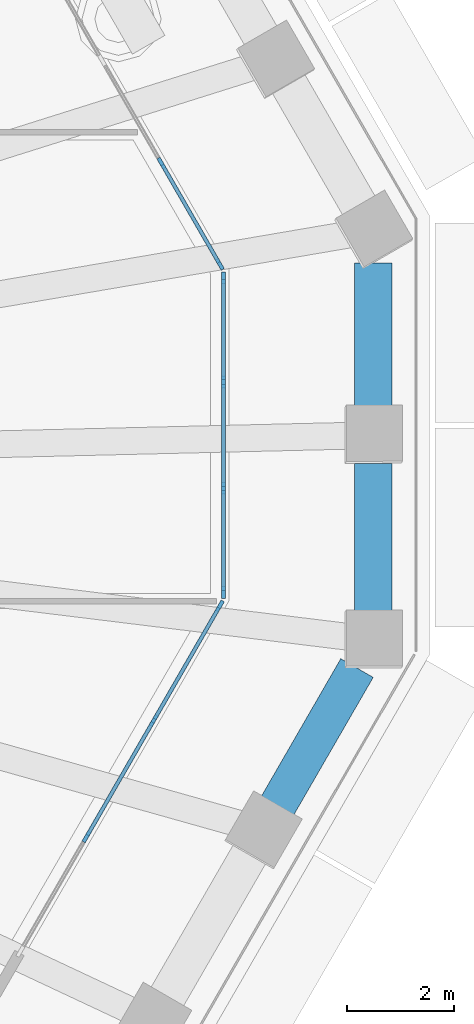
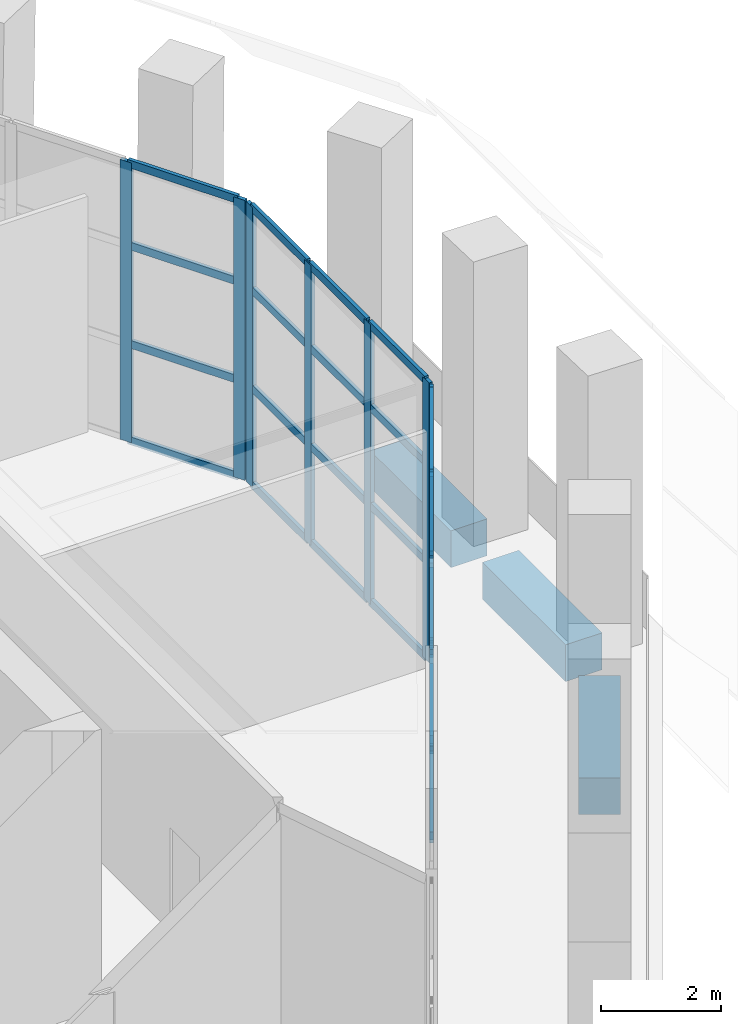
# One storey, part 5 of 19: 33 members, 3 beams, 3 elements without a shape of their own.
"""IFC4 building model written with IfcOpenShell, lengths in metres."""

from ifc_helpers import new_model, si_unit, direction, frame, origin, origin_2d, place, context, subcontext, project, spatial, rectangle, extrude, material, material_profile, profile_set, type_object, element, aggregate, save


model = new_model("IFC4")

# Units and contexts
model_context = context("Model", 3, precision=1e-05, world=origin(), true_north=direction((0.0, 1.0)))
body_context = subcontext(model_context, "Body", "Model", "MODEL_VIEW")
ifc_project = project(units=[si_unit("LENGTHUNIT", "METRE"), si_unit("AREAUNIT", "SQUARE_METRE"), si_unit("VOLUMEUNIT", "CUBIC_METRE"), si_unit("PLANEANGLEUNIT", "RADIAN"), si_unit("MASSUNIT", "GRAM", prefix="KILO")], contexts=[model_context])

# Site, building, storey
site_placement = place(None, origin())
site = spatial("IfcSite", under=ifc_project, at=site_placement, CompositionType="ELEMENT")
building_placement = place(site_placement, origin())
building = spatial("IfcBuilding", under=site, at=building_placement, Name="Frailejon Research Tower", CompositionType="ELEMENT")
storey_placement = place(building_placement, frame((0.0, 0.0, 231.39990234375)))
storey = spatial("IfcBuildingStorey", under=building, at=storey_placement, Name="L50", CompositionType="ELEMENT", Elevation=231.39990234375)

# Curtain wall, members
ifc_material_1 = material(Name="Aluminium curtain wall", Category="aluminium")
curtain_wall_type = type_object("IfcCurtainWallType", Name="Sky lobby curtain wall system", PredefinedType="NOTDEFINED", material=ifc_material_1)
curtain_wall_1_placement = place(storey_placement, origin())
curtain_wall_1 = element("IfcCurtainWall", 1, at=curtain_wall_1_placement, inside=storey, type_object=curtain_wall_type, Name="Curtain wall L50", PredefinedType="NOTDEFINED")
ifc_material_2 = material(Name="Aluminium extrusion", Category="aluminium")
ifc_material_profile_1 = material_profile(ifc_material_2, rectangle(XDim=0.070068359375, YDim=0.219970703125, at=origin_2d()), Name="Sky lobby curtain wall mullion 70x220")
ifc_profile_set_1 = profile_set([ifc_material_profile_1], Name="Aluminium extrusion")
member_type_1 = type_object("IfcMemberType", Name="Sky lobby curtain wall mullion 70x220", PredefinedType="MULLION", material=ifc_profile_set_1)
member_1_placement = place(storey_placement, frame((23.29736328125, -2.31298828125, 0.0), z_axis=(0.0, 0.0, 1.0), x_axis=(-1.0, 0.0, 0.0)))
member_1 = element("IfcMember", 2, at=member_1_placement, type_object=member_type_1, Name="CW4-099 mullion 1", PredefinedType="MULLION", context=body_context, shape_type="SweptSolid", body=[
    extrude(rectangle(XDim=0.070068359375, YDim=0.219970703125, at=origin_2d()), origin(), (0.0, 0.0, 1.0), 5.7001953125),
])
member_2_placement = place(storey_placement, frame((23.29736328125, -0.363525390625, 0.0), z_axis=(0.0, 0.0, 1.0), x_axis=(-1.0, 0.0, 0.0)))
member_2 = element("IfcMember", 3, at=member_2_placement, type_object=member_type_1, Name="CW4-099 mullion 2", PredefinedType="MULLION", context=body_context, shape_type="SweptSolid", body=[
    extrude(rectangle(XDim=0.070068359375, YDim=0.219970703125, at=origin_2d()), origin(), (0.0, 0.0, 1.0), 5.7001953125),
])
member_3_placement = place(storey_placement, frame((23.29736328125, 1.62060546875, 0.0), z_axis=(0.0, 0.0, 1.0), x_axis=(-1.0, 0.0, 0.0)))
member_3 = element("IfcMember", 4, at=member_3_placement, type_object=member_type_1, Name="CW4-099 mullion 3", PredefinedType="MULLION", context=body_context, shape_type="SweptSolid", body=[
    extrude(rectangle(XDim=0.070068359375, YDim=0.219970703125, at=origin_2d()), origin(), (0.0, 0.0, 1.0), 5.7001953125),
])
member_4_placement = place(storey_placement, frame((23.29736328125, 3.570068359375, 0.0), z_axis=(0.0, 0.0, 1.0), x_axis=(-1.0, 0.0, 0.0)))
member_4 = element("IfcMember", 5, at=member_4_placement, type_object=member_type_1, Name="CW4-099 mullion 4", PredefinedType="MULLION", context=body_context, shape_type="SweptSolid", body=[
    extrude(rectangle(XDim=0.070068359375, YDim=0.219970703125, at=origin_2d()), origin(), (0.0, 0.0, 1.0), 5.7001953125),
])

curtain_wall_2_placement = place(storey_placement, origin())
curtain_wall_2 = element("IfcCurtainWall", 6, at=curtain_wall_2_placement, inside=storey, type_object=curtain_wall_type, Name="Curtain wall L50", PredefinedType="NOTDEFINED")
member_5_placement = place(storey_placement, frame((23.229736328125, 3.822021484375, 0.0), z_axis=(0.0, 0.0, 1.0), x_axis=(-0.866025366731, -0.500000064178, 0.0)))
member_5 = element("IfcMember", 7, at=member_5_placement, type_object=member_type_1, Name="CW4-100 mullion 1", PredefinedType="MULLION", context=body_context, shape_type="SweptSolid", body=[
    extrude(rectangle(XDim=0.070068359375, YDim=0.219970703125, at=origin_2d()), origin(), (0.0, 0.0, 1.0), 5.7001953125),
])
member_6_placement = place(storey_placement, frame((22.138671875, 5.7119140625, 0.0), z_axis=(0.0, 0.0, 1.0), x_axis=(-0.866025366731, -0.500000064178, 0.0)))
member_6 = element("IfcMember", 8, at=member_6_placement, type_object=member_type_1, Name="CW4-100 mullion 2", PredefinedType="MULLION", context=body_context, shape_type="SweptSolid", body=[
    extrude(rectangle(XDim=0.070068359375, YDim=0.219970703125, at=origin_2d()), origin(), (0.0, 0.0, 1.0), 5.7001953125),
])

curtain_wall_3_placement = place(storey_placement, origin())
curtain_wall_3 = element("IfcCurtainWall", 9, at=curtain_wall_3_placement, inside=storey, type_object=curtain_wall_type, Name="Curtain wall L50", PredefinedType="NOTDEFINED")
member_7_placement = place(storey_placement, frame((20.73974609375, -6.8779296875, 0.0), z_axis=(0.0, 0.0, 1.0), x_axis=(-0.866025100961, 0.500000524505, 0.0)))
member_7 = element("IfcMember", 10, at=member_7_placement, type_object=member_type_1, Name="CW4-116 mullion 2", PredefinedType="MULLION", context=body_context, shape_type="SweptSolid", body=[
    extrude(rectangle(XDim=0.070068359375, YDim=0.219970703125, at=origin_2d()), origin(), (0.0, 0.0, 1.0), 5.7001953125),
])
member_8_placement = place(storey_placement, frame((21.993408203125, -4.706298828125, 0.0), z_axis=(0.0, 0.0, 1.0), x_axis=(-0.866025100961, 0.500000524505, 0.0)))
member_8 = element("IfcMember", 11, at=member_8_placement, type_object=member_type_1, Name="CW4-116 mullion 3", PredefinedType="MULLION", context=body_context, shape_type="SweptSolid", body=[
    extrude(rectangle(XDim=0.070068359375, YDim=0.219970703125, at=origin_2d()), origin(), (0.0, 0.0, 1.0), 5.7001953125),
])
member_9_placement = place(storey_placement, frame((23.229736328125, -2.564697265625, 0.0), z_axis=(0.0, 0.0, 1.0), x_axis=(-0.866025100961, 0.500000524505, 0.0)))
member_9 = element("IfcMember", 12, at=member_9_placement, type_object=member_type_1, Name="CW4-116 mullion 4", PredefinedType="MULLION", context=body_context, shape_type="SweptSolid", body=[
    extrude(rectangle(XDim=0.070068359375, YDim=0.219970703125, at=origin_2d()), origin(), (0.0, 0.0, 1.0), 5.7001953125),
])

# Member
ifc_material_3 = material(Name="Aluminium extrusion", Category="aluminium")
ifc_material_profile_2 = material_profile(ifc_material_3, rectangle(XDim=0.070068359375, YDim=0.159912109375, at=origin_2d()), Name="Sky lobby curtain wall transom 70x160")
ifc_profile_set_2 = profile_set([ifc_material_profile_2], Name="Aluminium extrusion")
member_type_2 = type_object("IfcMemberType", Name="Sky lobby curtain wall transom 70x160", PredefinedType="USERDEFINED", material=ifc_profile_set_2)
member_10_placement = place(storey_placement, frame((23.29736328125, -2.27783203125, 0.03515625), z_axis=(0.0, 1.0, 0.0), x_axis=(-1.0, 0.0, 0.0)))
member_10 = element("IfcMember", 13, at=member_10_placement, type_object=member_type_2, Name="CW4-099 transom 1.1", ObjectType="TRANSOM", PredefinedType="USERDEFINED", context=body_context, shape_type="SweptSolid", body=[
    extrude(rectangle(XDim=0.070068359375, YDim=0.159912109375, at=origin_2d()), origin(), (0.0, 0.0, 1.0), 1.879150390625),
])

member_11_placement = place(storey_placement, frame((23.29736328125, -2.27783203125, 2.0), z_axis=(0.0, 1.0, 0.0), x_axis=(-1.0, 0.0, 0.0)))
member_11 = element("IfcMember", 14, at=member_11_placement, type_object=member_type_2, Name="CW4-099 transom 1.2", ObjectType="TRANSOM", PredefinedType="USERDEFINED", context=body_context, shape_type="SweptSolid", body=[
    extrude(rectangle(XDim=0.070068359375, YDim=0.159912109375, at=origin_2d()), origin(), (0.0, 0.0, 1.0), 1.879150390625),
])

member_12_placement = place(storey_placement, frame((23.29736328125, -2.27783203125, 4.0), z_axis=(0.0, 1.0, 0.0), x_axis=(-1.0, 0.0, 0.0)))
member_12 = element("IfcMember", 15, at=member_12_placement, type_object=member_type_2, Name="CW4-099 transom 1.3", ObjectType="TRANSOM", PredefinedType="USERDEFINED", context=body_context, shape_type="SweptSolid", body=[
    extrude(rectangle(XDim=0.070068359375, YDim=0.159912109375, at=origin_2d()), origin(), (0.0, 0.0, 1.0), 1.879150390625),
])

member_13_placement = place(storey_placement, frame((23.29736328125, -2.27783203125, 5.6650390625), z_axis=(0.0, 1.0, 0.0), x_axis=(-1.0, 0.0, 0.0)))
member_13 = element("IfcMember", 16, at=member_13_placement, type_object=member_type_2, Name="CW4-099 transom 1.4", ObjectType="TRANSOM", PredefinedType="USERDEFINED", context=body_context, shape_type="SweptSolid", body=[
    extrude(rectangle(XDim=0.070068359375, YDim=0.159912109375, at=origin_2d()), origin(), (0.0, 0.0, 1.0), 1.879150390625),
])

member_14_placement = place(storey_placement, frame((23.29736328125, -0.32861328125, 0.03515625), z_axis=(0.0, 1.0, 0.0), x_axis=(-1.0, 0.0, 0.0)))
member_14 = element("IfcMember", 17, at=member_14_placement, type_object=member_type_2, Name="CW4-099 transom 2.1", ObjectType="TRANSOM", PredefinedType="USERDEFINED", context=body_context, shape_type="SweptSolid", body=[
    extrude(rectangle(XDim=0.070068359375, YDim=0.159912109375, at=origin_2d()), origin(), (0.0, 0.0, 1.0), 1.914306640625),
])

member_15_placement = place(storey_placement, frame((23.29736328125, -0.32861328125, 2.0), z_axis=(0.0, 1.0, 0.0), x_axis=(-1.0, 0.0, 0.0)))
member_15 = element("IfcMember", 18, at=member_15_placement, type_object=member_type_2, Name="CW4-099 transom 2.2", ObjectType="TRANSOM", PredefinedType="USERDEFINED", context=body_context, shape_type="SweptSolid", body=[
    extrude(rectangle(XDim=0.070068359375, YDim=0.159912109375, at=origin_2d()), origin(), (0.0, 0.0, 1.0), 1.914306640625),
])

member_16_placement = place(storey_placement, frame((23.29736328125, -0.32861328125, 4.0), z_axis=(0.0, 1.0, 0.0), x_axis=(-1.0, 0.0, 0.0)))
member_16 = element("IfcMember", 19, at=member_16_placement, type_object=member_type_2, Name="CW4-099 transom 2.3", ObjectType="TRANSOM", PredefinedType="USERDEFINED", context=body_context, shape_type="SweptSolid", body=[
    extrude(rectangle(XDim=0.070068359375, YDim=0.159912109375, at=origin_2d()), origin(), (0.0, 0.0, 1.0), 1.914306640625),
])

member_17_placement = place(storey_placement, frame((23.29736328125, -0.32861328125, 5.6650390625), z_axis=(0.0, 1.0, 0.0), x_axis=(-1.0, 0.0, 0.0)))
member_17 = element("IfcMember", 20, at=member_17_placement, type_object=member_type_2, Name="CW4-099 transom 2.4", ObjectType="TRANSOM", PredefinedType="USERDEFINED", context=body_context, shape_type="SweptSolid", body=[
    extrude(rectangle(XDim=0.070068359375, YDim=0.159912109375, at=origin_2d()), origin(), (0.0, 0.0, 1.0), 1.914306640625),
])

member_18_placement = place(storey_placement, frame((23.29736328125, 1.65576171875, 0.03515625), z_axis=(0.0, 1.0, 0.0), x_axis=(-1.0, 0.0, 0.0)))
member_18 = element("IfcMember", 21, at=member_18_placement, type_object=member_type_2, Name="CW4-099 transom 3.1", ObjectType="TRANSOM", PredefinedType="USERDEFINED", context=body_context, shape_type="SweptSolid", body=[
    extrude(rectangle(XDim=0.070068359375, YDim=0.159912109375, at=origin_2d()), origin(), (0.0, 0.0, 1.0), 1.879150390625),
])

member_19_placement = place(storey_placement, frame((23.29736328125, 1.65576171875, 2.0), z_axis=(0.0, 1.0, 0.0), x_axis=(-1.0, 0.0, 0.0)))
member_19 = element("IfcMember", 22, at=member_19_placement, type_object=member_type_2, Name="CW4-099 transom 3.2", ObjectType="TRANSOM", PredefinedType="USERDEFINED", context=body_context, shape_type="SweptSolid", body=[
    extrude(rectangle(XDim=0.070068359375, YDim=0.159912109375, at=origin_2d()), origin(), (0.0, 0.0, 1.0), 1.879150390625),
])

member_20_placement = place(storey_placement, frame((23.29736328125, 1.65576171875, 4.0), z_axis=(0.0, 1.0, 0.0), x_axis=(-1.0, 0.0, 0.0)))
member_20 = element("IfcMember", 23, at=member_20_placement, type_object=member_type_2, Name="CW4-099 transom 3.3", ObjectType="TRANSOM", PredefinedType="USERDEFINED", context=body_context, shape_type="SweptSolid", body=[
    extrude(rectangle(XDim=0.070068359375, YDim=0.159912109375, at=origin_2d()), origin(), (0.0, 0.0, 1.0), 1.879150390625),
])

member_21_placement = place(storey_placement, frame((23.29736328125, 1.65576171875, 5.6650390625), z_axis=(0.0, 1.0, 0.0), x_axis=(-1.0, 0.0, 0.0)))
member_21 = element("IfcMember", 24, at=member_21_placement, type_object=member_type_2, Name="CW4-099 transom 3.4", ObjectType="TRANSOM", PredefinedType="USERDEFINED", context=body_context, shape_type="SweptSolid", body=[
    extrude(rectangle(XDim=0.070068359375, YDim=0.159912109375, at=origin_2d()), origin(), (0.0, 0.0, 1.0), 1.879150390625),
])

aggregate(curtain_wall_1, [member_1, member_2, member_3, member_4, member_10, member_11, member_12, member_13, member_14, member_15, member_16, member_17, member_18, member_19, member_20, member_21])

member_22_placement = place(storey_placement, frame((23.21240234375, 3.852294921875, 0.03515625), z_axis=(-0.499992582699, 0.866029686123, 0.0), x_axis=(-0.866029686123, -0.499992582699, 0.0)))
member_22 = element("IfcMember", 25, at=member_22_placement, type_object=member_type_2, Name="CW4-100 transom 1.1", ObjectType="TRANSOM", PredefinedType="USERDEFINED", context=body_context, shape_type="SweptSolid", body=[
    extrude(rectangle(XDim=0.070068359375, YDim=0.159912109375, at=origin_2d()), origin(), (0.0, 0.0, 1.0), 2.1123046875),
])

member_23_placement = place(storey_placement, frame((23.21240234375, 3.852294921875, 2.0), z_axis=(-0.499992582699, 0.866029686123, 0.0), x_axis=(-0.866029686123, -0.499992582699, 0.0)))
member_23 = element("IfcMember", 26, at=member_23_placement, type_object=member_type_2, Name="CW4-100 transom 1.2", ObjectType="TRANSOM", PredefinedType="USERDEFINED", context=body_context, shape_type="SweptSolid", body=[
    extrude(rectangle(XDim=0.070068359375, YDim=0.159912109375, at=origin_2d()), origin(), (0.0, 0.0, 1.0), 2.1123046875),
])

member_24_placement = place(storey_placement, frame((23.21240234375, 3.852294921875, 4.0), z_axis=(-0.499992582699, 0.866029686123, 0.0), x_axis=(-0.866029686123, -0.499992582699, 0.0)))
member_24 = element("IfcMember", 27, at=member_24_placement, type_object=member_type_2, Name="CW4-100 transom 1.3", ObjectType="TRANSOM", PredefinedType="USERDEFINED", context=body_context, shape_type="SweptSolid", body=[
    extrude(rectangle(XDim=0.070068359375, YDim=0.159912109375, at=origin_2d()), origin(), (0.0, 0.0, 1.0), 2.1123046875),
])

member_25_placement = place(storey_placement, frame((23.21240234375, 3.852294921875, 5.6650390625), z_axis=(-0.499992582699, 0.866029686123, 0.0), x_axis=(-0.866029686123, -0.499992582699, 0.0)))
member_25 = element("IfcMember", 28, at=member_25_placement, type_object=member_type_2, Name="CW4-100 transom 1.4", ObjectType="TRANSOM", PredefinedType="USERDEFINED", context=body_context, shape_type="SweptSolid", body=[
    extrude(rectangle(XDim=0.070068359375, YDim=0.159912109375, at=origin_2d()), origin(), (0.0, 0.0, 1.0), 2.1123046875),
])

aggregate(curtain_wall_2, [member_5, member_6, member_22, member_23, member_24, member_25])

member_26_placement = place(storey_placement, frame((20.757080078125, -6.84765625, 0.03515625), z_axis=(0.500048989253, 0.865997117979, 0.0), x_axis=(-0.865997117979, 0.500048989253, 0.0)))
member_26 = element("IfcMember", 29, at=member_26_placement, type_object=member_type_2, Name="CW4-116 transom 2.1", ObjectType="TRANSOM", PredefinedType="USERDEFINED", context=body_context, shape_type="SweptSolid", body=[
    extrude(rectangle(XDim=0.070068359375, YDim=0.159912109375, at=origin_2d()), origin(), (0.0, 0.0, 1.0), 2.437744140625),
])

member_27_placement = place(storey_placement, frame((20.757080078125, -6.84765625, 2.0), z_axis=(0.500048989253, 0.865997117979, 0.0), x_axis=(-0.865997117979, 0.500048989253, 0.0)))
member_27 = element("IfcMember", 30, at=member_27_placement, type_object=member_type_2, Name="CW4-116 transom 2.2", ObjectType="TRANSOM", PredefinedType="USERDEFINED", context=body_context, shape_type="SweptSolid", body=[
    extrude(rectangle(XDim=0.070068359375, YDim=0.159912109375, at=origin_2d()), origin(), (0.0, 0.0, 1.0), 2.437744140625),
])

member_28_placement = place(storey_placement, frame((20.757080078125, -6.84765625, 4.0), z_axis=(0.500048989253, 0.865997117979, 0.0), x_axis=(-0.865997117979, 0.500048989253, 0.0)))
member_28 = element("IfcMember", 31, at=member_28_placement, type_object=member_type_2, Name="CW4-116 transom 2.3", ObjectType="TRANSOM", PredefinedType="USERDEFINED", context=body_context, shape_type="SweptSolid", body=[
    extrude(rectangle(XDim=0.070068359375, YDim=0.159912109375, at=origin_2d()), origin(), (0.0, 0.0, 1.0), 2.437744140625),
])

member_29_placement = place(storey_placement, frame((20.757080078125, -6.84765625, 5.6650390625), z_axis=(0.500048989253, 0.865997117979, 0.0), x_axis=(-0.865997117979, 0.500048989253, 0.0)))
member_29 = element("IfcMember", 32, at=member_29_placement, type_object=member_type_2, Name="CW4-116 transom 2.4", ObjectType="TRANSOM", PredefinedType="USERDEFINED", context=body_context, shape_type="SweptSolid", body=[
    extrude(rectangle(XDim=0.070068359375, YDim=0.159912109375, at=origin_2d()), origin(), (0.0, 0.0, 1.0), 2.437744140625),
])

member_30_placement = place(storey_placement, frame((22.010986328125, -4.67578125, 0.03515625), z_axis=(0.500062570482, 0.865989275686, 0.0), x_axis=(-0.865989275686, 0.500062570482, 0.0)))
member_30 = element("IfcMember", 33, at=member_30_placement, type_object=member_type_2, Name="CW4-116 transom 3.1", ObjectType="TRANSOM", PredefinedType="USERDEFINED", context=body_context, shape_type="SweptSolid", body=[
    extrude(rectangle(XDim=0.070068359375, YDim=0.159912109375, at=origin_2d()), origin(), (0.0, 0.0, 1.0), 2.402587890625),
])

member_31_placement = place(storey_placement, frame((22.010986328125, -4.67578125, 2.0), z_axis=(0.500062570482, 0.865989275686, 0.0), x_axis=(-0.865989275686, 0.500062570482, 0.0)))
member_31 = element("IfcMember", 34, at=member_31_placement, type_object=member_type_2, Name="CW4-116 transom 3.2", ObjectType="TRANSOM", PredefinedType="USERDEFINED", context=body_context, shape_type="SweptSolid", body=[
    extrude(rectangle(XDim=0.070068359375, YDim=0.159912109375, at=origin_2d()), origin(), (0.0, 0.0, 1.0), 2.402587890625),
])

member_32_placement = place(storey_placement, frame((22.010986328125, -4.67578125, 4.0), z_axis=(0.500062570482, 0.865989275686, 0.0), x_axis=(-0.865989275686, 0.500062570482, 0.0)))
member_32 = element("IfcMember", 35, at=member_32_placement, type_object=member_type_2, Name="CW4-116 transom 3.3", ObjectType="TRANSOM", PredefinedType="USERDEFINED", context=body_context, shape_type="SweptSolid", body=[
    extrude(rectangle(XDim=0.070068359375, YDim=0.159912109375, at=origin_2d()), origin(), (0.0, 0.0, 1.0), 2.402587890625),
])

member_33_placement = place(storey_placement, frame((22.010986328125, -4.67578125, 5.6650390625), z_axis=(0.500062570482, 0.865989275686, 0.0), x_axis=(-0.865989275686, 0.500062570482, 0.0)))
member_33 = element("IfcMember", 36, at=member_33_placement, type_object=member_type_2, Name="CW4-116 transom 3.4", ObjectType="TRANSOM", PredefinedType="USERDEFINED", context=body_context, shape_type="SweptSolid", body=[
    extrude(rectangle(XDim=0.070068359375, YDim=0.159912109375, at=origin_2d()), origin(), (0.0, 0.0, 1.0), 2.402587890625),
])

aggregate(curtain_wall_3, [member_7, member_8, member_9, member_26, member_27, member_28, member_29, member_30, member_31, member_32, member_33])

# Beams
ifc_material_4 = material(Name="Concrete C60/75", Category="concrete")
ifc_material_profile_3 = material_profile(ifc_material_4, rectangle(XDim=0.699951171875, YDim=0.75, at=origin_2d()), Name="Spandrel 700x750")
ifc_profile_set_3 = profile_set([ifc_material_profile_3], Name="Concrete C60/75")
beam_type = type_object("IfcBeamType", Name="Spandrel 700x750", PredefinedType="BEAM", material=ifc_profile_set_3)
beam_1_placement = place(storey_placement, frame((26.097412109375, -2.673095703125, -0.724853515625), z_axis=(0.0, 1.0, 0.0), x_axis=(-1.0, 0.0, 0.0)))
element("IfcBeam", 37, at=beam_1_placement, inside=storey, type_object=beam_type, Name="Spandrel 700x750", PredefinedType="BEAM", context=body_context, shape_type="SweptSolid", body=[
    extrude(rectangle(XDim=0.699951171875, YDim=0.75, at=origin_2d()), origin(), (0.0, 0.0, 1.0), 2.776611328125),
])
beam_2_placement = place(storey_placement, frame((26.097412109375, 1.153564453125, -0.724853515625), z_axis=(0.0, 1.0, 0.0), x_axis=(-1.0, 0.0, 0.0)))
element("IfcBeam", 38, at=beam_2_placement, inside=storey, type_object=beam_type, Name="Spandrel 700x750", PredefinedType="BEAM", context=body_context, shape_type="SweptSolid", body=[
    extrude(rectangle(XDim=0.699951171875, YDim=0.75, at=origin_2d()), origin(), (0.0, 0.0, 1.0), 2.695556640625),
])
beam_3_placement = place(storey_placement, frame((24.303955078125, -6.30419921875, -0.724853515625), z_axis=(0.500015540671, 0.866016431188, 0.0), x_axis=(-0.866016431188, 0.500015540671, 0.0)))
element("IfcBeam", 39, at=beam_3_placement, inside=storey, type_object=beam_type, Name="Spandrel 700x750", PredefinedType="BEAM", context=body_context, shape_type="SweptSolid", body=[
    extrude(rectangle(XDim=0.699951171875, YDim=0.75, at=origin_2d()), origin(), (0.0, 0.0, 1.0), 2.98046875),
])

save(model, "model.ifc")
